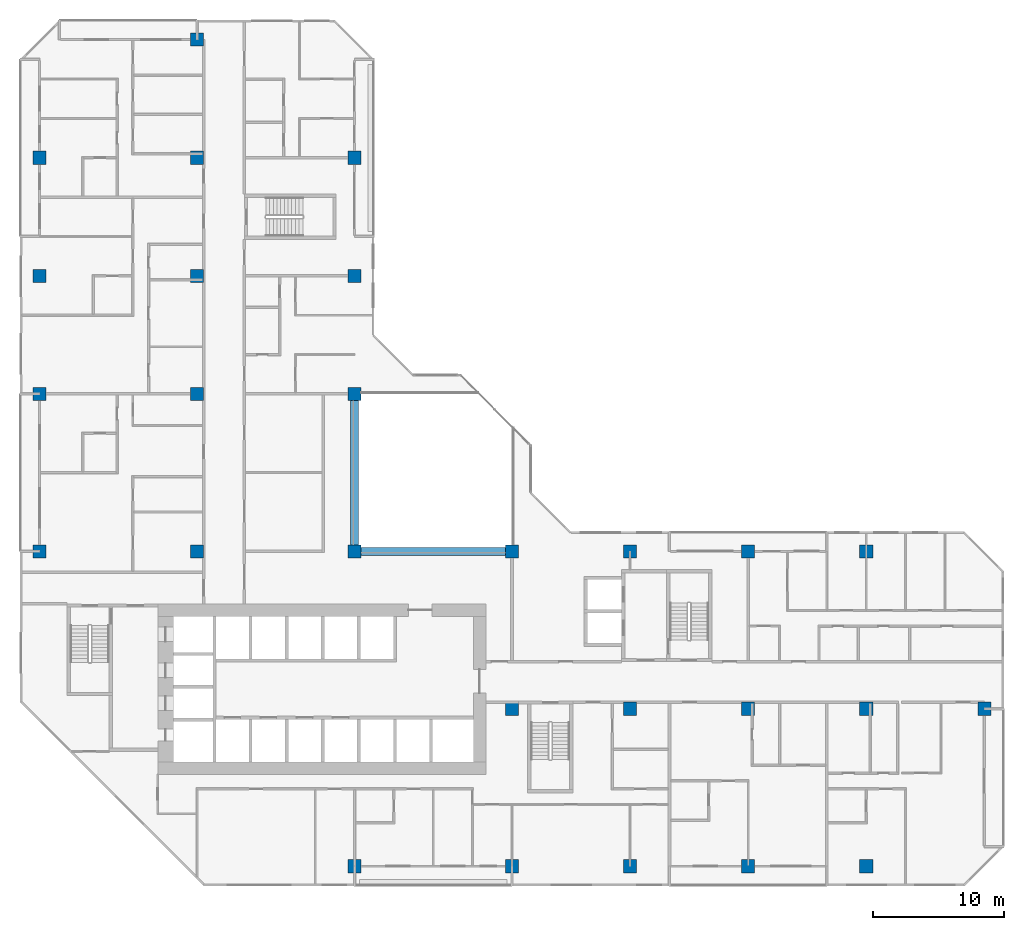
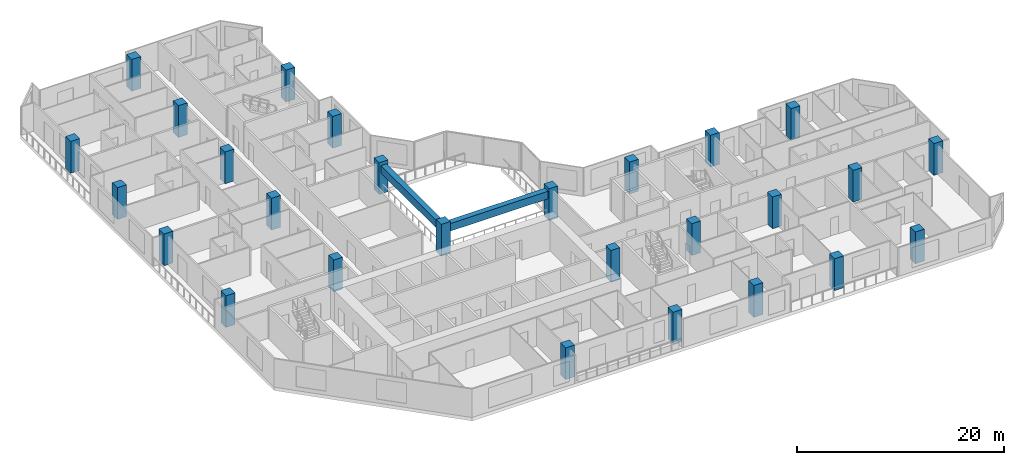
# One storey, part 1 of 15: 27 columns, 2 beams.
"""IFC4 building model written with IfcOpenShell, lengths in metres."""

from ifc_helpers import new_model, si_unit, direction, frame, origin, origin_2d, place, context, subcontext, project, spatial, rectangle, extrude, material, material_profile, profile_set, type_object, element, save


model = new_model("IFC4")

# Units and contexts
model_context = context("Model", 3, precision=1e-05, world=origin(), true_north=direction((0.0, 1.0)))
body_context = subcontext(model_context, "Body", "Model", "MODEL_VIEW")
ifc_project = project(units=[si_unit("LENGTHUNIT", "METRE"), si_unit("AREAUNIT", "SQUARE_METRE"), si_unit("VOLUMEUNIT", "CUBIC_METRE"), si_unit("PLANEANGLEUNIT", "RADIAN"), si_unit("MASSUNIT", "GRAM", prefix="KILO")], contexts=[model_context])

# Site, building, storey
site_placement = place(None, origin())
site = spatial("IfcSite", under=ifc_project, at=site_placement, CompositionType="ELEMENT")
building_placement = place(site_placement, origin())
building = spatial("IfcBuilding", under=site, at=building_placement, Name="Chenar Terraces", CompositionType="ELEMENT")
storey_placement = place(building_placement, frame((0.0, 0.0, 95.64990234375)))
storey = spatial("IfcBuildingStorey", under=building, at=storey_placement, Name="L21", CompositionType="ELEMENT", Elevation=95.64990234375)

# Columns
ifc_material_1 = material(Name="Concrete C70/85", Category="concrete")
ifc_material_profile_1 = material_profile(ifc_material_1, rectangle(XDim=1.0, YDim=1.0, at=origin_2d()), Name="C 1000 x 1000")
ifc_profile_set_1 = profile_set([ifc_material_profile_1], Name="Concrete C70/85")
column_type = type_object("IfcColumnType", Name="Column C 1000 x 1000 Concrete C70/85", PredefinedType="COLUMN", material=ifc_profile_set_1)
column_1_placement = place(storey_placement, frame((0.0, 24.0, 0.0), z_axis=(0.0, 0.0, 1.0), x_axis=(1.0, 0.0, 0.0)))
element("IfcColumn", 1, at=column_1_placement, inside=storey, type_object=column_type, Name="Column 5/G L21", PredefinedType="COLUMN", context=body_context, shape_type="SweptSolid", body=[
    extrude(rectangle(XDim=1.0, YDim=1.0, at=origin_2d()), origin(), (0.0, 0.0, 1.0), 3.75),
])
column_2_placement = place(storey_placement, frame((0.0, 36.0, 0.0), z_axis=(0.0, 0.0, 1.0), x_axis=(1.0, 0.0, 0.0)))
element("IfcColumn", 2, at=column_2_placement, inside=storey, type_object=column_type, Name="Column 5/H L21", PredefinedType="COLUMN", context=body_context, shape_type="SweptSolid", body=[
    extrude(rectangle(XDim=1.0, YDim=1.0, at=origin_2d()), origin(), (0.0, 0.0, 1.0), 3.75),
])
for number, where, z_axis, x_axis, name in (
    (3, (0.0, 45.0, 0.0), (0.0, 0.0, 1.0), (1.0, 0.0, 0.0), "Column 5/J L21"),
    (4, (0.0, 54.0, 0.0), (0.0, 0.0, 1.0), (1.0, 0.0, 0.0), "Column 5/K L21"),
    (5, (12.0, 24.0, 0.0), (0.0, 0.0, 1.0), (1.0, 0.0, 0.0), "Column 6/G L21"),
    (6, (12.0, 36.0, 0.0), (0.0, 0.0, 1.0), (1.0, 0.0, 0.0), "Column 6/H L21"),
    (7, (12.0, 45.0, 0.0), (0.0, 0.0, 1.0), (1.0, 0.0, 0.0), "Column 6/J L21"),
    (8, (12.0, 54.0, 0.0), (0.0, 0.0, 1.0), (1.0, 0.0, 0.0), "Column 6/K L21"),
    (9, (12.0, 63.0, 0.0), (0.0, 0.0, 1.0), (1.0, 0.0, 0.0), "Column 6/L L21"),
    (10, (24.0, 0.0, 0.0), (0.0, 0.0, 1.0), (1.0, 0.0, 0.0), "Column 7/E L21"),
    (11, (24.0, 24.0, 0.0), (0.0, 0.0, 1.0), (1.0, 0.0, 0.0), "Column 7/G L21"),
    (12, (24.0, 36.0, 0.0), (0.0, 0.0, 1.0), (1.0, 0.0, 0.0), "Column 7/H L21"),
    (13, (24.0, 45.0, 0.0), (0.0, 0.0, 1.0), (1.0, 0.0, 0.0), "Column 7/J L21"),
    (14, (24.0, 54.0, 0.0), (0.0, 0.0, 1.0), (1.0, 0.0, 0.0), "Column 7/K L21"),
    (15, (36.0, 0.0, 0.0), (0.0, 0.0, 1.0), (1.0, 0.0, 0.0), "Column 8/E L21"),
    (16, (36.0, 12.0, 0.0), (0.0, 0.0, 1.0), (1.0, 0.0, 0.0), "Column 8/F L21"),
    (17, (36.0, 24.0, 0.0), (0.0, 0.0, 1.0), (1.0, 0.0, 0.0), "Column 8/G L21"),
    (18, (45.0, 0.0, 0.0), (0.0, 0.0, 1.0), (1.0, 0.0, 0.0), "Column 9/E L21"),
    (19, (45.0, 12.0, 0.0), (0.0, 0.0, 1.0), (1.0, 0.0, 0.0), "Column 9/F L21"),
    (20, (45.0, 24.0, 0.0), (0.0, 0.0, 1.0), (1.0, 0.0, 0.0), "Column 9/G L21"),
    (21, (54.0, 0.0, 0.0), (0.0, 0.0, 1.0), (1.0, 0.0, 0.0), "Column 10/E L21"),
    (22, (54.0, 12.0, 0.0), (0.0, 0.0, 1.0), (1.0, 0.0, 0.0), "Column 10/F L21"),
    (23, (54.0, 24.0, 0.0), (0.0, 0.0, 1.0), (1.0, 0.0, 0.0), "Column 10/G L21"),
    (24, (63.0, 0.0, 0.0), (0.0, 0.0, 1.0), (1.0, 0.0, 0.0), "Column 11/E L21"),
    (25, (63.0, 12.0, 0.0), (0.0, 0.0, 1.0), (1.0, 0.0, 0.0), "Column 11/F L21"),
    (26, (63.0, 24.0, 0.0), (0.0, 0.0, 1.0), (1.0, 0.0, 0.0), "Column 11/G L21"),
    (27, (72.0, 12.0, 0.0), (0.0, 0.0, 1.0), (1.0, 0.0, 0.0), "Column 12/F L21"),
):
    element("IfcColumn", number, at=place(storey_placement, frame(where, z_axis=z_axis, x_axis=x_axis)), inside=storey, type_object=column_type, Name=name, PredefinedType="COLUMN", context=body_context, shape_type="SweptSolid", body=[
        extrude(rectangle(XDim=1.0, YDim=1.0, at=origin_2d()), origin(), (0.0, 0.0, 1.0), 3.75),
    ])

# Beams
ifc_material_2 = material(Name="Concrete C40/50", Category="concrete")
ifc_material_profile_2 = material_profile(ifc_material_2, rectangle(XDim=0.60009765625, YDim=0.89990234375, at=origin_2d()), Name="RC 600 x 900")
ifc_profile_set_2 = profile_set([ifc_material_profile_2], Name="Concrete C40/50")
beam_type = type_object("IfcBeamType", Name="Atrium edge beam 600 x 900 Concrete C40/50", PredefinedType="BEAM", material=ifc_profile_set_2)
for number, where, z_axis, x_axis, name in (
    (28, (24.5, 24.0, 2.900146484375), (1.0, 0.0, 0.0), (0.0, 1.0, 0.0), "Atrium edge beam L22 1"),
    (29, (24.0, 35.5, 2.900146484375), (0.0, -1.0, 0.0), (1.0, 0.0, 0.0), "Atrium edge beam L22 4"),
):
    element("IfcBeam", number, at=place(storey_placement, frame(where, z_axis=z_axis, x_axis=x_axis)), inside=storey, type_object=beam_type, Name=name, PredefinedType="BEAM", context=body_context, shape_type="SweptSolid", body=[
        extrude(rectangle(XDim=0.60009765625, YDim=0.89990234375, at=origin_2d()), origin(), (0.0, 0.0, 1.0), 11.0),
    ])

save(model, "model.ifc")
